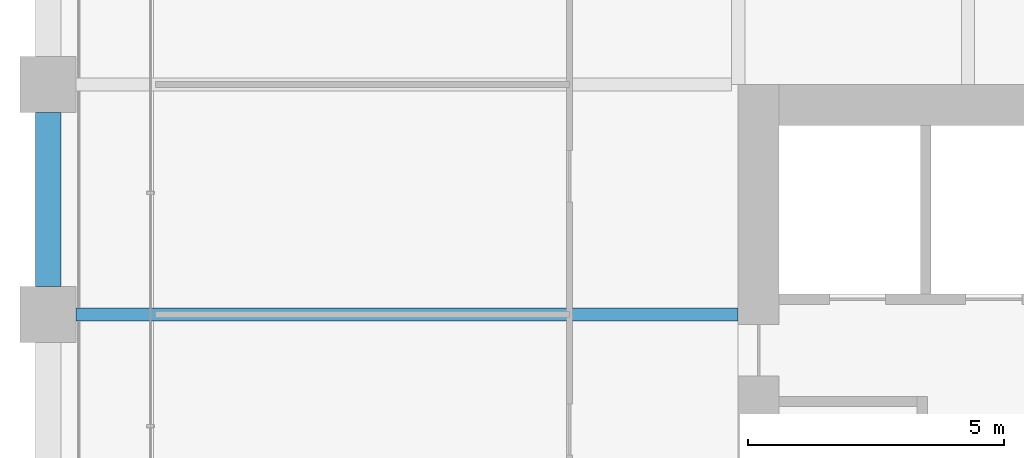
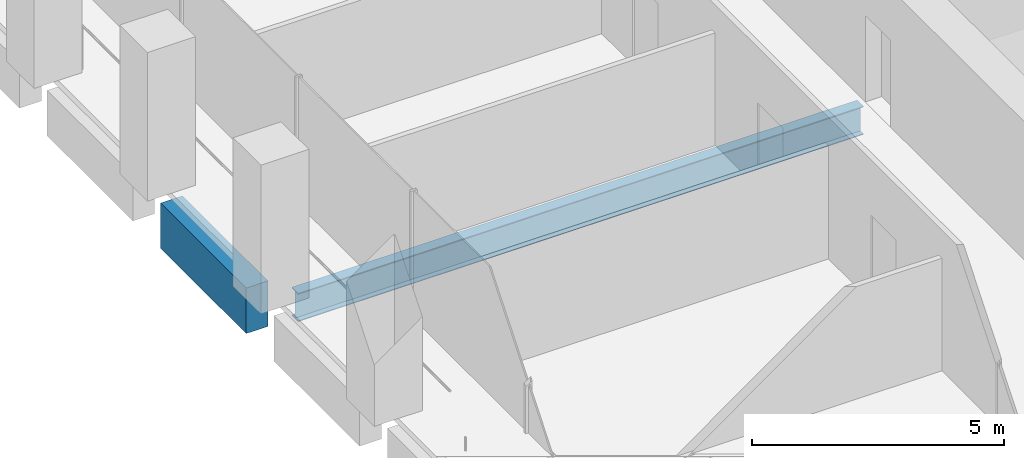
# One storey, part 13 of 56: 2 beams.
"""IFC4 building model written with IfcOpenShell, lengths in metres."""

from ifc_helpers import new_model, si_unit, direction, frame, origin, origin_2d, place, context, subcontext, project, spatial, rectangle, i_section, extrude, material, material_profile, profile_set, type_object, element, save


model = new_model("IFC4")

# Units and contexts
model_context = context("Model", 3, precision=1e-05, world=origin(), true_north=direction((0.0, 1.0)))
body_context = subcontext(model_context, "Body", "Model", "MODEL_VIEW")
ifc_project = project(units=[si_unit("LENGTHUNIT", "METRE"), si_unit("AREAUNIT", "SQUARE_METRE"), si_unit("VOLUMEUNIT", "CUBIC_METRE"), si_unit("PLANEANGLEUNIT", "RADIAN"), si_unit("MASSUNIT", "GRAM", prefix="KILO")], contexts=[model_context])

# Site, building, storey
site_placement = place(None, origin())
site = spatial("IfcSite", under=ifc_project, at=site_placement, CompositionType="ELEMENT")
building_placement = place(site_placement, origin())
building = spatial("IfcBuilding", under=site, at=building_placement, Name="Altepetl Exchange Towers", CompositionType="ELEMENT")
storey_placement = place(building_placement, frame((0.0, 0.0, 76.199951171875)))
storey = spatial("IfcBuildingStorey", under=building, at=storey_placement, Name="L18", CompositionType="ELEMENT", Elevation=76.199951171875)

# Beams
ifc_material_1 = material(Name="Steel S355", Category="steel")
ifc_material_profile_1 = material_profile(ifc_material_1, i_section(OverallWidth=0.25390625, OverallDepth=0.68408203125, WebThickness=0.012451171875, FlangeThickness=0.018798828125, at=origin_2d()), Name="W27X94")
ifc_profile_set_1 = profile_set([ifc_material_profile_1], Name="Steel S355")
beam_type_1 = type_object("IfcBeamType", Name="Floor beam W27X94", PredefinedType="BEAM", material=ifc_profile_set_1)
beam_1_placement = place(storey_placement, frame((27.550048828125, 54.0, -0.491943359375), z_axis=(1.0, 0.0, 0.0), x_axis=(0.0, 1.0, 0.0)))
element("IfcBeam", 1, at=beam_1_placement, inside=storey, type_object=beam_type_1, Name="bm:A:L18:020", PredefinedType="BEAM", context=body_context, shape_type="SweptSolid", body=[
    extrude(i_section(OverallWidth=0.25390625, OverallDepth=0.68408203125, WebThickness=0.012451171875, FlangeThickness=0.018798828125, at=origin_2d()), origin(), (0.0, 0.0, 1.0), 12.949951171875),
])
ifc_material_2 = material(Name="Concrete C50/60 precast with tezontle facing", Category="concrete")
ifc_material_profile_2 = material_profile(ifc_material_2, rectangle(XDim=0.5, YDim=1.10009765625, at=origin_2d()), Name="500 x 1100")
ifc_profile_set_2 = profile_set([ifc_material_profile_2], Name="Concrete C50/60 precast with tezontle facing")
beam_type_2 = type_object("IfcBeamType", Name="Spandrel beam 500x1100 tezontle", PredefinedType="SPANDREL", material=ifc_profile_set_2)
beam_2_placement = place(storey_placement, frame((27.0, 57.949951171875, -0.699951171875), z_axis=(0.0, -1.0, 0.0), x_axis=(1.0, 0.0, 0.0)))
element("IfcBeam", 2, at=beam_2_placement, inside=storey, type_object=beam_type_2, Name="sp:A:L18:038", PredefinedType="SPANDREL", context=body_context, shape_type="SweptSolid", body=[
    extrude(rectangle(XDim=0.5, YDim=1.10009765625, at=origin_2d()), origin(), (0.0, 0.0, 1.0), 3.39990234375),
])

save(model, "model.ifc")
